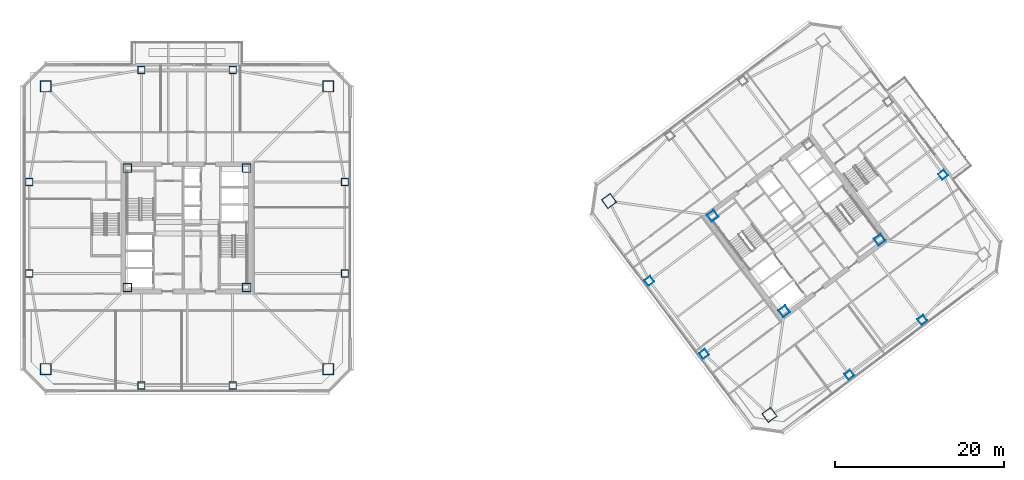
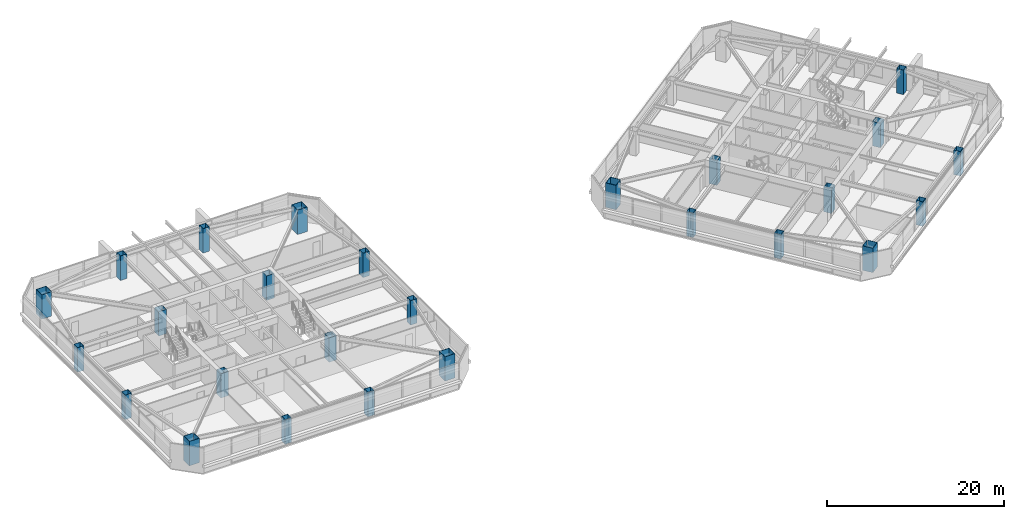
# One storey, part 1 of 44: 26 columns.
"""IFC4 building model written with IfcOpenShell, lengths in metres."""

from ifc_helpers import new_model, si_unit, direction, frame, origin, origin_2d, place, context, subcontext, project, spatial, hollow_rectangle, extrude, material, material_profile, profile_set, type_object, element, save


model = new_model("IFC4")

# Units and contexts
model_context = context("Model", 3, precision=1e-05, world=origin(), true_north=direction((0.0, 1.0)))
body_context = subcontext(model_context, "Body", "Model", "MODEL_VIEW")
ifc_project = project(units=[si_unit("LENGTHUNIT", "METRE"), si_unit("AREAUNIT", "SQUARE_METRE"), si_unit("VOLUMEUNIT", "CUBIC_METRE"), si_unit("PLANEANGLEUNIT", "RADIAN"), si_unit("MASSUNIT", "GRAM", prefix="KILO")], contexts=[model_context])

# Site, building, storey
site_placement = place(None, origin())
site = spatial("IfcSite", under=ifc_project, at=site_placement, CompositionType="ELEMENT")
building_placement = place(site_placement, origin())
building = spatial("IfcBuilding", under=site, at=building_placement, Name="Tashvorn Skyway Center", CompositionType="ELEMENT")
storey_placement = place(building_placement, frame((0.0, 0.0, 149.89990234375)))
storey = spatial("IfcBuildingStorey", under=building, at=storey_placement, Name="L40", CompositionType="ELEMENT", Elevation=149.89990234375)

# Columns
ifc_material = material(Name="Steel ASTM A572 Grade 50", Category="steel")
ifc_material_profile_1 = material_profile(ifc_material, hollow_rectangle(XDim=1.0, YDim=1.0, WallThickness=0.0400390625, at=origin_2d()), Name="BOX1000x1000x40")
ifc_profile_set_1 = profile_set([ifc_material_profile_1], Name="Steel ASTM A572 Grade 50")
column_type_1 = type_object("IfcColumnType", Name="COL-BOX1000x1000x40", PredefinedType="COLUMN", material=ifc_profile_set_1)
for number, where, z_axis, x_axis, name in (
    (1, (34.949951171875, 24.949951171875, 0.0), (0.0, 0.0, 1.0), (1.0, 0.0, 0.0), "Tower 1 L40 Core Corner Column CC-SW"),
    (2, (49.050048828125, 24.949951171875, 0.0), (0.0, 0.0, 1.0), (1.0, 0.0, 0.0), "Tower 1 L40 Core Corner Column CC-SE"),
    (3, (49.050048828125, 39.050048828125, 0.0), (0.0, 0.0, 1.0), (1.0, 0.0, 0.0), "Tower 1 L40 Core Corner Column CC-NE"),
    (4, (34.949951171875, 39.050048828125, 0.0), (0.0, 0.0, 1.0), (1.0, 0.0, 0.0), "Tower 1 L40 Core Corner Column CC-NW"),
    (5, (112.590087890625, 22.1298828125, 0.0), (0.0, 0.0, 1.0), (0.799999996291, 0.600000004945, 0.0), "Tower 2 L40 Core Corner Column CC-SW"),
    (6, (123.8701171875, 30.590087890625, 0.0), (0.0, 0.0, 1.0), (0.799999996291, 0.600000004945, 0.0), "Tower 2 L40 Core Corner Column CC-SE"),
    (7, (104.1298828125, 33.409912109375, 0.0), (0.0, 0.0, 1.0), (0.799999996291, 0.600000004945, 0.0), "Tower 2 L40 Core Corner Column CC-NW"),
):
    element("IfcColumn", number, at=place(storey_placement, frame(where, z_axis=z_axis, x_axis=x_axis)), inside=storey, type_object=column_type_1, Name=name, PredefinedType="COLUMN", context=body_context, shape_type="SweptSolid", body=[
        extrude(hollow_rectangle(XDim=1.0, YDim=1.0, WallThickness=0.0400390625, at=origin_2d()), origin(), (0.0, 0.0, 1.0), 3.3701171875),
    ])
ifc_material_profile_2 = material_profile(ifc_material, hollow_rectangle(XDim=1.300048828125, YDim=1.300048828125, WallThickness=0.050048828125, at=origin_2d()), Name="BOX1300x1300x50")
ifc_profile_set_2 = profile_set([ifc_material_profile_2], Name="Steel ASTM A572 Grade 50")
column_type_2 = type_object("IfcColumnType", Name="COL-BOX1300x1300x50", PredefinedType="COLUMN", material=ifc_profile_set_2)
for number, where, z_axis, x_axis, name in (
    (8, (25.300048828125, 15.300048828125, 0.0), (0.0, 0.0, 1.0), (1.0, 0.0, 0.0), "Tower 1 L40 Mega-Column MC-SW"),
    (9, (58.699951171875, 15.300048828125, 0.0), (0.0, 0.0, 1.0), (1.0, 0.0, 0.0), "Tower 1 L40 Mega-Column MC-SE"),
    (10, (58.699951171875, 48.699951171875, 0.0), (0.0, 0.0, 1.0), (1.0, 0.0, 0.0), "Tower 1 L40 Mega-Column MC-NE"),
    (11, (25.300048828125, 48.699951171875, 0.0), (0.0, 0.0, 1.0), (1.0, 0.0, 0.0), "Tower 1 L40 Mega-Column MC-NW"),
    (12, (110.840087890625, 9.8798828125, 0.0), (0.0, 0.0, 1.0), (0.799999996291, 0.600000004945, 0.0), "Tower 2 L40 Mega-Column MC-SW"),
    (13, (91.8798828125, 35.159912109375, 0.0), (0.0, 0.0, 1.0), (0.799999996291, 0.600000004945, 0.0), "Tower 2 L40 Mega-Column MC-NW"),
):
    element("IfcColumn", number, at=place(storey_placement, frame(where, z_axis=z_axis, x_axis=x_axis)), inside=storey, type_object=column_type_2, Name=name, PredefinedType="COLUMN", context=body_context, shape_type="SweptSolid", body=[
        extrude(hollow_rectangle(XDim=1.300048828125, YDim=1.300048828125, WallThickness=0.050048828125, at=origin_2d()), origin(), (0.0, 0.0, 1.0), 3.3701171875),
    ])
ifc_material_profile_3 = material_profile(ifc_material, hollow_rectangle(XDim=0.85009765625, YDim=0.85009765625, WallThickness=0.034912109375, at=origin_2d()), Name="BOX850x850x35")
ifc_profile_set_3 = profile_set([ifc_material_profile_3], Name="Steel ASTM A572 Grade 50")
column_type_3 = type_object("IfcColumnType", Name="COL-BOX850x850x35", PredefinedType="COLUMN", material=ifc_profile_set_3)
for number, where, z_axis, x_axis, name in (
    (14, (36.60009765625, 13.35009765625, 0.0), (0.0, 0.0, 1.0), (1.0, 0.0, 0.0), "Tower 1 L40 Perimeter Column FC-S1"),
    (15, (47.39990234375, 13.35009765625, 0.0), (0.0, 0.0, 1.0), (1.0, 0.0, 0.0), "Tower 1 L40 Perimeter Column FC-S2"),
    (16, (60.64990234375, 26.60009765625, 0.0), (0.0, 0.0, 1.0), (1.0, 0.0, 0.0), "Tower 1 L40 Perimeter Column FC-E1"),
    (17, (60.64990234375, 37.39990234375, 0.0), (0.0, 0.0, 1.0), (1.0, 0.0, 0.0), "Tower 1 L40 Perimeter Column FC-E2"),
    (18, (47.39990234375, 50.64990234375, 0.0), (0.0, 0.0, 1.0), (1.0, 0.0, 0.0), "Tower 1 L40 Perimeter Column FC-N1"),
    (19, (36.60009765625, 50.64990234375, 0.0), (0.0, 0.0, 1.0), (1.0, 0.0, 0.0), "Tower 1 L40 Perimeter Column FC-N2"),
    (20, (23.35009765625, 37.39990234375, 0.0), (0.0, 0.0, 1.0), (1.0, 0.0, 0.0), "Tower 1 L40 Perimeter Column FC-W1"),
    (21, (23.35009765625, 26.60009765625, 0.0), (0.0, 0.0, 1.0), (1.0, 0.0, 0.0), "Tower 1 L40 Perimeter Column FC-W2"),
    (22, (120.27001953125, 14.639892578125, 0.0), (0.0, 0.0, 1.0), (0.799999996291, 0.600000004945, 0.0), "Tower 2 L40 Perimeter Column FC-S1"),
    (23, (128.909912109375, 21.1201171875, 0.0), (0.0, 0.0, 1.0), (0.799999996291, 0.600000004945, 0.0), "Tower 2 L40 Perimeter Column FC-S2"),
    (24, (131.360107421875, 38.27001953125, 0.0), (0.0, 0.0, 1.0), (0.799999996291, 0.600000004945, 0.0), "Tower 2 L40 Perimeter Column FC-E1"),
    (25, (96.639892578125, 25.72998046875, 0.0), (0.0, 0.0, 1.0), (0.799999996291, 0.600000004945, 0.0), "Tower 2 L40 Perimeter Column FC-W1"),
    (26, (103.1201171875, 17.090087890625, 0.0), (0.0, 0.0, 1.0), (0.799999996291, 0.600000004945, 0.0), "Tower 2 L40 Perimeter Column FC-W2"),
):
    element("IfcColumn", number, at=place(storey_placement, frame(where, z_axis=z_axis, x_axis=x_axis)), inside=storey, type_object=column_type_3, Name=name, PredefinedType="COLUMN", context=body_context, shape_type="SweptSolid", body=[
        extrude(hollow_rectangle(XDim=0.85009765625, YDim=0.85009765625, WallThickness=0.034912109375, at=origin_2d()), origin(), (0.0, 0.0, 1.0), 3.3701171875),
    ])

save(model, "model.ifc")
